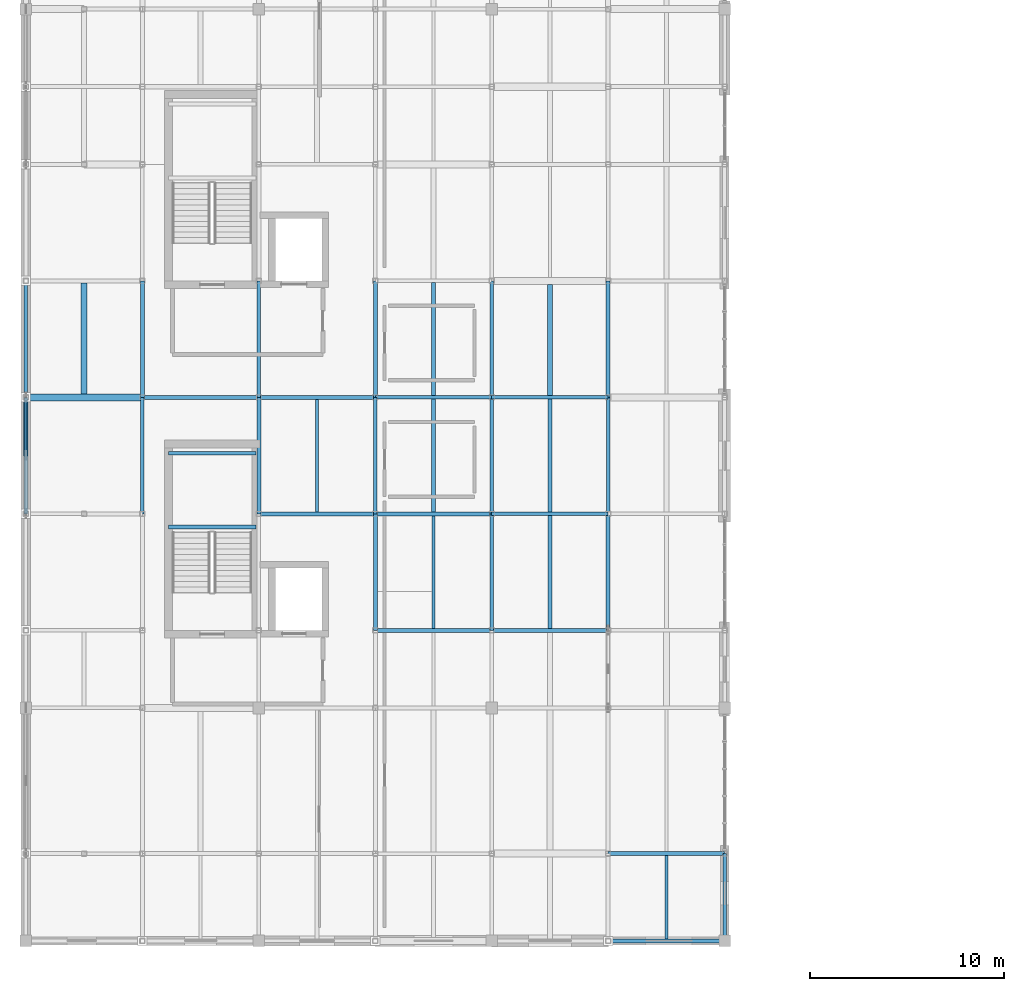
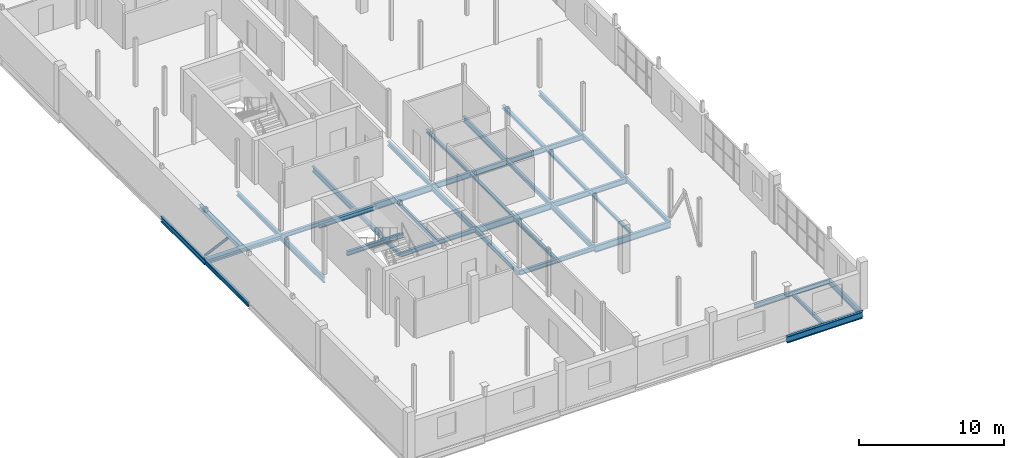
# One storey, part 12 of 35: 39 beams, 1 member.
"""IFC4 building model written with IfcOpenShell, lengths in metres."""

import ifcopenshell
import ifcopenshell.guid

model = None  # the IFC model being written
_history = None  # IfcOwnerHistory: only IFC2X3 demands one
_inside = {}  # id of a spatial element -> (the spatial element, [elements in it])
_under = {}  # id of a project, library or spatial element -> (it, [spatial elements below it])
_declared = {}  # id of a project -> (the project, [libraries it declares])
_typed = {}  # id of a type object -> (the type object, [elements of that type])
_made_of = {}  # id of a material, layer set ... -> (it, [elements and type objects made of it])


def new_model(schema):
    """Start an empty IFC model of exactly this schema.

    Asked for "IFC4X3", IfcOpenShell would pick the latest addendum, in which some entities
    have other attributes; the version numbers below select the first issue.
    IFC2X3 requires an IfcOwnerHistory on every rooted entity: one is made here for all.
    """
    global model, _history
    if schema == "IFC4X3":
        model = ifcopenshell.file(schema_version=(4, 3, 0, 0))
    else:
        model = ifcopenshell.file(schema=schema)
    _inside.clear()
    _under.clear()
    _declared.clear()
    _typed.clear()
    _made_of.clear()
    _history = None
    if model.schema == "IFC2X3":
        org = make("IfcOrganization", Name="unknown")
        user = make(
            "IfcPersonAndOrganization",
            ThePerson=make("IfcPerson", FamilyName="unknown"),
            TheOrganization=org,
        )
        app = make(
            "IfcApplication",
            ApplicationDeveloper=org,
            Version="unknown",
            ApplicationFullName="unknown",
            ApplicationIdentifier="unknown",
        )
        _history = make(
            "IfcOwnerHistory",
            OwningUser=user,
            OwningApplication=app,
            ChangeAction="ADDED",
            CreationDate=0,
        )
    return model


def make(cls, **values):
    """One entity of the class cls with the attributes given. An attribute that is None is left unset."""
    return model.create_entity(
        cls, **{name: value for name, value in values.items() if value is not None}
    )


def rooted(cls, **values):
    """An entity with a GlobalId (a new one), such as an element, a storey or a relation."""
    return make(cls, GlobalId=ifcopenshell.guid.new(), OwnerHistory=_history, **values)


def si_unit(unit_type, name, prefix=None):
    """IfcSIUnit, for example si_unit("LENGTHUNIT", "METRE", prefix="MILLI")."""
    return make("IfcSIUnit", UnitType=unit_type, Prefix=prefix, Name=name)


def assignment(units):
    """IfcUnitAssignment: the units of a project."""
    return None if units is None else make("IfcUnitAssignment", Units=units)


def point(xyz):
    """IfcCartesianPoint."""
    return None if xyz is None else make("IfcCartesianPoint", Coordinates=xyz)


def direction(xyz):
    """IfcDirection."""
    return None if xyz is None else make("IfcDirection", DirectionRatios=xyz)


def frame(location, z_axis=None, x_axis=None):
    """IfcAxis2Placement3D, a coordinate frame: its origin and axes. An axis left out is left unset."""
    return make(
        "IfcAxis2Placement3D",
        Location=point(location),
        Axis=direction(z_axis),
        RefDirection=direction(x_axis),
    )


def frame_2d(location, x_axis=None):
    """IfcAxis2Placement2D, a coordinate frame in the plane: its origin and x axis."""
    return make(
        "IfcAxis2Placement2D", Location=point(location), RefDirection=direction(x_axis)
    )


def origin():
    """The frame at (0, 0, 0) with its axes left unset."""
    return frame((0.0, 0.0, 0.0))


def origin_2d():
    """The frame at (0, 0) in the plane with its x axis left unset."""
    return frame_2d((0.0, 0.0))


def place(relative_to, where):
    """IfcLocalPlacement: puts the frame where relative to a parent placement (None: the world)."""
    return make(
        "IfcLocalPlacement", PlacementRelTo=relative_to, RelativePlacement=where
    )


def context(
    kind, dimensions, precision=None, world=None, true_north=None, identifier=None
):
    """IfcGeometricRepresentationContext, for example the 3D "Model" context."""
    return make(
        "IfcGeometricRepresentationContext",
        ContextIdentifier=identifier,
        ContextType=kind,
        CoordinateSpaceDimension=dimensions,
        Precision=precision,
        WorldCoordinateSystem=world,
        TrueNorth=true_north,
    )


def subcontext(parent, identifier, kind, view, scale=None):
    """IfcGeometricRepresentationSubContext, for example "Body" below "Model"."""
    return make(
        "IfcGeometricRepresentationSubContext",
        ContextIdentifier=identifier,
        ContextType=kind,
        ParentContext=parent,
        TargetScale=scale,
        TargetView=view,
    )


def project(units=None, contexts=None):
    """IfcProject with its units and contexts."""
    return rooted(
        "IfcProject",
        Name="project",
        RepresentationContexts=contexts,
        UnitsInContext=assignment(units),
    )


def spatial(cls, under=None, at=None, **own):
    """A site, building, storey or space (cls), placed at a placement, below another one or the project."""
    s = rooted(cls, ObjectPlacement=at, **own)
    if under is not None:
        _under.setdefault(under.id(), (under, []))[1].append(s)
    return s


def profile(cls, at=None, kind="AREA", **sizes):
    """A parametric profile (cls). Its sizes go by their IFC names, for example OverallWidth=200.0."""
    return make(cls, ProfileType=kind, Position=at, **sizes)


def hollow_circle(**sizes):
    """IfcCircleHollowProfileDef."""
    return profile("IfcCircleHollowProfileDef", **sizes)


def i_section(**sizes):
    """IfcIShapeProfileDef."""
    return profile("IfcIShapeProfileDef", **sizes)


def extrude(swept, where, along, depth):
    """IfcExtrudedAreaSolid: the profile swept, set in the frame where, extruded along a direction by depth."""
    return make(
        "IfcExtrudedAreaSolid",
        SweptArea=swept,
        Position=where,
        ExtrudedDirection=direction(along),
        Depth=depth,
    )


def shape(context_of_items, identifier, shape_type, items):
    """IfcShapeRepresentation: the items that make up one representation, for example the "Body"."""
    return make(
        "IfcShapeRepresentation",
        ContextOfItems=context_of_items,
        RepresentationIdentifier=identifier,
        RepresentationType=shape_type,
        Items=items,
    )


def material(Name=None, Category=None):
    """IfcMaterial."""
    return make("IfcMaterial", Name=Name, Category=Category)


def material_profile(
    of_material, cross_section, Name=None, Category=None, Priority=None
):
    """IfcMaterialProfile: a cross section and its material."""
    return make(
        "IfcMaterialProfile",
        Name=Name,
        Material=of_material,
        Profile=cross_section,
        Priority=Priority,
        Category=Category,
    )


def profile_set(profiles, Name=None, composite=None):
    """IfcMaterialProfileSet."""
    return make(
        "IfcMaterialProfileSet",
        Name=Name,
        MaterialProfiles=profiles,
        CompositeProfile=composite,
    )


def made_of(thing, what):
    """Note that an element or type object is made of a material, layer set ...; save() writes the relation."""
    if what is not None:
        _made_of.setdefault(what.id(), (what, []))[1].append(thing)
    return thing


def type_object(cls, material=None, **own):
    """A type object (cls), such as IfcWallType, which elements share."""
    return made_of(rooted(cls, **own), material)


def element(
    cls,
    number,
    at=None,
    inside=None,
    cuts=None,
    type_object=None,
    material=None,
    context=None,
    identifier="Body",
    shape_type=None,
    held_by="IfcProductDefinitionShape",
    body=None,
    shapes=None,
    **own,
):
    """One element of the class cls, such as IfcWall. Its Tag is "e" and its number.

    at: its placement. inside: the storey or other place that contains it. cuts: it is an
    opening in that element (IfcRelVoidsElement). A single representation is given by context,
    identifier, shape_type and body (its items); several are given by shapes. held_by: the class
    of the entity that holds the representations. save() writes the other relations.
    """
    e = rooted(cls, Tag="e%d" % number, ObjectPlacement=at, **own)
    if body is not None:
        shapes = [shape(context, identifier, shape_type, body)]
    if shapes is not None:
        e.Representation = make(held_by, Representations=shapes)
    if inside is not None:
        _inside.setdefault(inside.id(), (inside, []))[1].append(e)
    if cuts is not None:
        rooted(
            "IfcRelVoidsElement", RelatingBuildingElement=cuts, RelatedOpeningElement=e
        )
    if type_object is not None:
        _typed.setdefault(type_object.id(), (type_object, []))[1].append(e)
    return made_of(e, material)


def aggregate(whole, parts):
    """IfcRelAggregates: a whole, such as a stair, and the parts it consists of."""
    return rooted("IfcRelAggregates", RelatingObject=whole, RelatedObjects=parts)


def save(model, path):
    """Write the relations noted so far, then the file.

    IfcRelAggregates (storeys below a building ...), IfcRelContainedInSpatialStructure (elements
    in a storey), IfcRelDefinesByType, IfcRelAssociatesMaterial and IfcRelDeclares: one each for
    every whole, place, type object, material and project.
    """
    for whole, parts in _under.values():
        aggregate(whole, parts)
    for where, things in _inside.values():
        rooted(
            "IfcRelContainedInSpatialStructure",
            RelatedElements=things,
            RelatingStructure=where,
        )
    for kind, things in _typed.values():
        rooted("IfcRelDefinesByType", RelatedObjects=things, RelatingType=kind)
    for what, things in _made_of.values():
        rooted("IfcRelAssociatesMaterial", RelatedObjects=things, RelatingMaterial=what)
    for by, libraries in _declared.values():
        rooted("IfcRelDeclares", RelatingContext=by, RelatedDefinitions=libraries)
    model.write(path)


model = new_model("IFC4")

# Units and contexts
model_context = context("Model", 3, precision=1e-05, world=origin(), true_north=direction((0.0, 1.0)))
body_context = subcontext(model_context, "Body", "Model", "MODEL_VIEW")
ifc_project = project(units=[si_unit("LENGTHUNIT", "METRE"), si_unit("AREAUNIT", "SQUARE_METRE"), si_unit("VOLUMEUNIT", "CUBIC_METRE"), si_unit("PLANEANGLEUNIT", "RADIAN"), si_unit("MASSUNIT", "GRAM", prefix="KILO")], contexts=[model_context])

# Site, building, storey
site_placement = place(None, origin())
site = spatial("IfcSite", under=ifc_project, at=site_placement, CompositionType="ELEMENT")
building_placement = place(site_placement, origin())
building = spatial("IfcBuilding", under=site, at=building_placement, Name="Verrall Gate Interchange", CompositionType="ELEMENT")
storey_placement = place(building_placement, frame((0.0, 0.0, 15.39990234375)))
storey = spatial("IfcBuildingStorey", under=building, at=storey_placement, Name="L04", CompositionType="ELEMENT", Elevation=15.39990234375)

# Beams
ifc_material_1 = material(Name="Structural Steel CSA G40.21 350W", Category="steel")
ifc_material_profile_1 = material_profile(ifc_material_1, i_section(OverallWidth=0.2109375, OverallDepth=0.5390625, WebThickness=0.01171875, FlangeThickness=0.018798828125, FilletRadius=0.013916015625, at=origin_2d()), Name="W530x109")
ifc_profile_set_1 = profile_set([ifc_material_profile_1], Name="Structural Steel CSA G40.21 350W")
beam_type_1 = type_object("IfcBeamType", Name="B-10 Structural Beam W530x109", PredefinedType="BEAM", material=ifc_profile_set_1)
for number, where, z_axis, x_axis, name in (
    (1, (30.0, 0.0, -0.599365234375), (1.0, 0.0, 0.0), (0.0, 1.0, 0.0), "L04 Girder BM-L04-2520 (B-10)"),
    (2, (24.0, 16.0, -0.599365234375), (1.0, 0.0, 0.0), (0.0, 1.0, 0.0), "L04 Girder BM-L04-2542 (B-10)"),
    (3, (18.0, 22.0, -0.599365234375), (1.0, 0.0, 0.0), (0.0, 1.0, 0.0), "L04 Girder BM-L04-2553 (B-10)"),
    (4, (12.0, 28.0, -0.599365234375), (1.0, 0.0, 0.0), (0.0, 1.0, 0.0), "L04 Girder BM-L04-2563 (B-10)"),
):
    element("IfcBeam", number, at=place(storey_placement, frame(where, z_axis=z_axis, x_axis=x_axis)), inside=storey, type_object=beam_type_1, Name=name, PredefinedType="BEAM", context=body_context, shape_type="SweptSolid", body=[
        extrude(i_section(OverallWidth=0.2109375, OverallDepth=0.5390625, WebThickness=0.01171875, FlangeThickness=0.018798828125, FilletRadius=0.013916015625, at=origin_2d()), origin(), (0.0, 0.0, 1.0), 6.0),
    ])
ifc_material_2 = material(Name="Structural Steel CSA G40.21 350W", Category="steel")
ifc_material_profile_2 = material_profile(ifc_material_2, i_section(OverallWidth=0.19189453125, OverallDepth=0.462890625, WebThickness=0.010498046875, FlangeThickness=0.017578125, FilletRadius=0.012939453125, at=origin_2d()), Name="W460x89")
ifc_profile_set_2 = profile_set([ifc_material_profile_2], Name="Structural Steel CSA G40.21 350W")
beam_type_2 = type_object("IfcBeamType", Name="B-11 Structural Beam W460x89", PredefinedType="BEAM", material=ifc_profile_set_2)
for number, where, z_axis, x_axis, name in (
    (5, (24.0, 22.0, -0.5615234375), (1.0, 0.0, 0.0), (0.0, 1.0, 0.0), "L04 Girder BM-L04-2554 (B-11)"),
    (6, (18.0, 28.0, -0.5615234375), (1.0, 0.0, 0.0), (0.0, 1.0, 0.0), "L04 Girder BM-L04-2564 (B-11)"),
    (7, (0.0, 28.0, -0.5615234375), (0.0, 1.0, 0.0), (-1.0, 0.0, 0.0), "L04 Girder BM-L04-2636 (B-11)"),
    (8, (6.0, 22.0, -0.5615234375), (0.0, 1.0, 0.0), (-1.0, 0.0, 0.0), "L04 Girder BM-L04-2649 (B-11)"),
    (9, (12.0, 28.0, -0.5615234375), (0.0, 1.0, 0.0), (-1.0, 0.0, 0.0), "L04 Girder BM-L04-2663 (B-11)"),
    (10, (18.0, 22.0, -0.5615234375), (0.0, 1.0, 0.0), (-1.0, 0.0, 0.0), "L04 Girder BM-L04-2675 (B-11)"),
    (11, (24.0, 16.0, -0.5615234375), (0.0, 1.0, 0.0), (-1.0, 0.0, 0.0), "L04 Girder BM-L04-2687 (B-11)"),
    (12, (24.0, 28.0, -0.5615234375), (0.0, 1.0, 0.0), (-1.0, 0.0, 0.0), "L04 Girder BM-L04-2689 (B-11)"),
    (13, (30.0, 22.0, -0.5615234375), (0.0, 1.0, 0.0), (-1.0, 0.0, 0.0), "L04 Girder BM-L04-2701 (B-11)"),
):
    element("IfcBeam", number, at=place(storey_placement, frame(where, z_axis=z_axis, x_axis=x_axis)), inside=storey, type_object=beam_type_2, Name=name, PredefinedType="BEAM", context=body_context, shape_type="SweptSolid", body=[
        extrude(i_section(OverallWidth=0.19189453125, OverallDepth=0.462890625, WebThickness=0.010498046875, FlangeThickness=0.017578125, FilletRadius=0.012939453125, at=origin_2d()), origin(), (0.0, 0.0, 1.0), 6.0),
    ])
beam_1_placement = place(storey_placement, frame((36.0, 0.0, -0.5615234375), z_axis=(0.0, 1.0, 0.0), x_axis=(-1.0, 0.0, 0.0)))
element("IfcBeam", 14, at=beam_1_placement, inside=storey, type_object=beam_type_2, Name="L04 Girder BM-L04-2710 (B-11)", PredefinedType="BEAM", context=body_context, shape_type="SweptSolid", body=[
    extrude(i_section(OverallWidth=0.19189453125, OverallDepth=0.462890625, WebThickness=0.010498046875, FlangeThickness=0.017578125, FilletRadius=0.012939453125, at=origin_2d()), origin(), (0.0, 0.0, 1.0), 4.5),
])
ifc_material_3 = material(Name="Structural Steel CSA G40.21 350W", Category="steel")
ifc_material_profile_3 = material_profile(ifc_material_3, i_section(OverallWidth=0.178955078125, OverallDepth=0.409912109375, WebThickness=0.0087890625, FlangeThickness=0.014404296875, FilletRadius=0.011962890625, at=origin_2d()), Name="W410x67")
ifc_profile_set_3 = profile_set([ifc_material_profile_3], Name="Structural Steel CSA G40.21 350W")
beam_type_3 = type_object("IfcBeamType", Name="B-12 Structural Beam W410x67", PredefinedType="BEAM", material=ifc_profile_set_3)
beam_2_placement = place(storey_placement, frame((24.0, 28.0, -0.534912109375), z_axis=(1.0, 0.0, 0.0), x_axis=(0.0, 1.0, 0.0)))
element("IfcBeam", 15, at=beam_2_placement, inside=storey, type_object=beam_type_3, Name="L04 Girder BM-L04-2565 (B-12)", PredefinedType="BEAM", context=body_context, shape_type="SweptSolid", body=[
    extrude(i_section(OverallWidth=0.178955078125, OverallDepth=0.409912109375, WebThickness=0.0087890625, FlangeThickness=0.014404296875, FilletRadius=0.011962890625, at=origin_2d()), origin(), (0.0, 0.0, 1.0), 6.0),
])
ifc_material_4 = material(Name="Structural Steel CSA G40.21 350W", Category="steel")
ifc_material_profile_4 = material_profile(ifc_material_4, i_section(OverallWidth=0.368896484375, OverallDepth=0.35595703125, WebThickness=0.01123046875, FlangeThickness=0.01806640625, FilletRadius=0.014892578125, at=origin_2d()), Name="W360x134")
ifc_profile_set_4 = profile_set([ifc_material_profile_4], Name="Structural Steel CSA G40.21 350W")
beam_type_4 = type_object("IfcBeamType", Name="B-13 Structural Beam W360x134", PredefinedType="BEAM", material=ifc_profile_set_4)
beam_3_placement = place(storey_placement, frame((0.0, 28.0, -0.5078125), z_axis=(1.0, 0.0, 0.0), x_axis=(0.0, 1.0, 0.0)))
element("IfcBeam", 16, at=beam_3_placement, inside=storey, type_object=beam_type_4, Name="L04 Girder BM-L04-2561 (B-13)", PredefinedType="BEAM", context=body_context, shape_type="SweptSolid", body=[
    extrude(i_section(OverallWidth=0.368896484375, OverallDepth=0.35595703125, WebThickness=0.01123046875, FlangeThickness=0.01806640625, FilletRadius=0.014892578125, at=origin_2d()), origin(), (0.0, 0.0, 1.0), 6.0),
])
ifc_material_5 = material(Name="Structural Steel CSA G40.21 350W", Category="steel")
ifc_material_profile_5 = material_profile(ifc_material_5, i_section(OverallWidth=0.205078125, OverallDepth=0.35400390625, WebThickness=0.009521484375, FlangeThickness=0.016845703125, FilletRadius=0.012939453125, at=origin_2d()), Name="W360x79")
ifc_profile_set_5 = profile_set([ifc_material_profile_5], Name="Structural Steel CSA G40.21 350W")
beam_type_5 = type_object("IfcBeamType", Name="B-14 Structural Beam W360x79", PredefinedType="BEAM", material=ifc_profile_set_5)
for number, where, z_axis, x_axis, name in (
    (17, (30.0, 4.5, -0.5068359375), (1.0, 0.0, 0.0), (0.0, 1.0, 0.0), "L04 Girder BM-L04-2527 (B-14)"),
    (18, (18.0, 16.0, -0.5068359375), (1.0, 0.0, 0.0), (0.0, 1.0, 0.0), "L04 Girder BM-L04-2541 (B-14)"),
    (19, (12.0, 22.0, -0.5068359375), (1.0, 0.0, 0.0), (0.0, 1.0, 0.0), "L04 Girder BM-L04-2552 (B-14)"),
    (20, (6.0, 28.0, -0.5068359375), (1.0, 0.0, 0.0), (0.0, 1.0, 0.0), "L04 Girder BM-L04-2562 (B-14)"),
    (21, (0.0, 22.0, -0.5068359375), (0.0, 1.0, 0.0), (-1.0, 0.0, 0.0), "L04 Girder BM-L04-2635 (B-14)"),
    (22, (6.0, 28.0, -0.5068359375), (0.0, 1.0, 0.0), (-1.0, 0.0, 0.0), "L04 Girder BM-L04-2650 (B-14)"),
    (23, (12.0, 22.0, -0.5068359375), (0.0, 1.0, 0.0), (-1.0, 0.0, 0.0), "L04 Girder BM-L04-2662 (B-14)"),
    (24, (18.0, 16.0, -0.5068359375), (0.0, 1.0, 0.0), (-1.0, 0.0, 0.0), "L04 Girder BM-L04-2674 (B-14)"),
    (25, (18.0, 28.0, -0.5068359375), (0.0, 1.0, 0.0), (-1.0, 0.0, 0.0), "L04 Girder BM-L04-2676 (B-14)"),
    (26, (24.0, 22.0, -0.5068359375), (0.0, 1.0, 0.0), (-1.0, 0.0, 0.0), "L04 Girder BM-L04-2688 (B-14)"),
    (27, (30.0, 16.0, -0.5068359375), (0.0, 1.0, 0.0), (-1.0, 0.0, 0.0), "L04 Girder BM-L04-2700 (B-14)"),
    (28, (30.0, 28.0, -0.5068359375), (0.0, 1.0, 0.0), (-1.0, 0.0, 0.0), "L04 Girder BM-L04-2702 (B-14)"),
):
    element("IfcBeam", number, at=place(storey_placement, frame(where, z_axis=z_axis, x_axis=x_axis)), inside=storey, type_object=beam_type_5, Name=name, PredefinedType="BEAM", context=body_context, shape_type="SweptSolid", body=[
        extrude(i_section(OverallWidth=0.205078125, OverallDepth=0.35400390625, WebThickness=0.009521484375, FlangeThickness=0.016845703125, FilletRadius=0.012939453125, at=origin_2d()), origin(), (0.0, 0.0, 1.0), 6.0),
    ])
for number, where, z_axis, x_axis, name in (
    (29, (7.35009765625, 21.31005859375, 1.630126953125), (1.0, 0.0, 0.0), (0.0, 1.0, 0.0), "L04 Core C1 Mid-Landing Beam 1"),
    (30, (7.35009765625, 25.1201171875, 1.630126953125), (1.0, 0.0, 0.0), (0.0, 1.0, 0.0), "L04 Core C1 Mid-Landing Beam 2"),
):
    element("IfcBeam", number, at=place(storey_placement, frame(where, z_axis=z_axis, x_axis=x_axis)), inside=storey, type_object=beam_type_5, Name=name, PredefinedType="BEAM", context=body_context, shape_type="SweptSolid", body=[
        extrude(i_section(OverallWidth=0.205078125, OverallDepth=0.35400390625, WebThickness=0.009521484375, FlangeThickness=0.016845703125, FilletRadius=0.012939453125, at=origin_2d()), origin(), (0.0, 0.0, 1.0), 4.5),
    ])

# Member
ifc_material_6 = material(Name="Structural Steel CSA G40.21 350W", Category="steel")
ifc_material_profile_6 = material_profile(ifc_material_6, hollow_circle(Radius=0.109619140625, WallThickness=0.008056640625, at=origin_2d()), Name="HSS219x8.0")
ifc_profile_set_6 = profile_set([ifc_material_profile_6], Name="Structural Steel CSA G40.21 350W")
member_type = type_object("IfcMemberType", Name="BR-02 Diagonal Brace HSS219x8.0", PredefinedType="BRACE", material=ifc_profile_set_6)
member_placement = place(storey_placement, frame((0.0, 28.0, 0.0), z_axis=(0.0, -0.681645967553, 0.731682154299), x_axis=(1.0, 0.0, 0.0)))
element("IfcMember", 31, at=member_placement, inside=storey, type_object=member_type, Name="Chevron Brace CBF2 L04 Leg B", PredefinedType="BRACE", context=body_context, shape_type="SweptSolid", body=[
    extrude(hollow_circle(Radius=0.109619140625, WallThickness=0.008056640625, at=origin_2d()), origin(), (0.0, 0.0, 1.0), 4.401123046875),
])

# Beams
ifc_material_7 = material(Name="Structural Steel CSA G40.21 350W", Category="steel")
ifc_material_profile_7 = material_profile(ifc_material_7, i_section(OverallWidth=0.172119140625, OverallDepth=0.35791015625, WebThickness=0.0078125, FlangeThickness=0.01318359375, FilletRadius=0.010986328125, at=origin_2d()), Name="W360x57")
ifc_profile_set_7 = profile_set([ifc_material_profile_7], Name="Structural Steel CSA G40.21 350W")
beam_type_6 = type_object("IfcBeamType", Name="J-01 Floor Joist W360x57", PredefinedType="JOIST", material=ifc_profile_set_7)
for number, where, z_axis, x_axis, name in (
    (32, (21.0, 16.1025390625, -0.5087890625), (0.0, 1.0, 0.0), (-1.0, 0.0, 0.0), "L04 Secondary Floor Joist JST-L04-2785"),
    (33, (15.0, 22.1025390625, -0.5087890625), (0.0, 1.0, 0.0), (-1.0, 0.0, 0.0), "L04 Secondary Floor Joist JST-L04-2792"),
):
    element("IfcBeam", number, at=place(storey_placement, frame(where, z_axis=z_axis, x_axis=x_axis)), inside=storey, type_object=beam_type_6, Name=name, PredefinedType="JOIST", context=body_context, shape_type="SweptSolid", body=[
        extrude(i_section(OverallWidth=0.172119140625, OverallDepth=0.35791015625, WebThickness=0.0078125, FlangeThickness=0.01318359375, FilletRadius=0.010986328125, at=origin_2d()), origin(), (0.0, 0.0, 1.0), 5.7919921875),
    ])
ifc_material_8 = material(Name="Structural Steel CSA G40.21 350W", Category="steel")
ifc_material_profile_8 = material_profile(ifc_material_8, i_section(OverallWidth=0.306884765625, OverallDepth=0.31396484375, WebThickness=0.011962890625, FlangeThickness=0.018798828125, FilletRadius=0.013916015625, at=origin_2d()), Name="W310x118")
ifc_profile_set_8 = profile_set([ifc_material_profile_8], Name="Structural Steel CSA G40.21 350W")
beam_type_7 = type_object("IfcBeamType", Name="J-02 Floor Joist W310x118", PredefinedType="JOIST", material=ifc_profile_set_8)
beam_4_placement = place(storey_placement, frame((3.0, 28.1845703125, -0.48681640625), z_axis=(0.0, 1.0, 0.0), x_axis=(-1.0, 0.0, 0.0)))
element("IfcBeam", 34, at=beam_4_placement, inside=storey, type_object=beam_type_7, Name="L04 Secondary Floor Joist JST-L04-2801", PredefinedType="JOIST", context=body_context, shape_type="SweptSolid", body=[
    extrude(i_section(OverallWidth=0.306884765625, OverallDepth=0.31396484375, WebThickness=0.011962890625, FlangeThickness=0.018798828125, FilletRadius=0.013916015625, at=origin_2d()), origin(), (0.0, 0.0, 1.0), 5.712890625),
])
ifc_material_9 = material(Name="Structural Steel CSA G40.21 350W", Category="steel")
ifc_material_profile_9 = material_profile(ifc_material_9, i_section(OverallWidth=0.1650390625, OverallDepth=0.31005859375, WebThickness=0.005859375, FlangeThickness=0.009765625, FilletRadius=0.010009765625, at=origin_2d()), Name="W310x39")
ifc_profile_set_9 = profile_set([ifc_material_profile_9], Name="Structural Steel CSA G40.21 350W")
beam_type_8 = type_object("IfcBeamType", Name="J-04 Floor Joist W310x39", PredefinedType="JOIST", material=ifc_profile_set_9)
beam_5_placement = place(storey_placement, frame((33.0, 0.10546875, -0.48486328125), z_axis=(0.0, 1.0, 0.0), x_axis=(-1.0, 0.0, 0.0)))
element("IfcBeam", 35, at=beam_5_placement, inside=storey, type_object=beam_type_8, Name="L04 Secondary Floor Joist JST-L04-2769", PredefinedType="JOIST", context=body_context, shape_type="SweptSolid", body=[
    extrude(i_section(OverallWidth=0.1650390625, OverallDepth=0.31005859375, WebThickness=0.005859375, FlangeThickness=0.009765625, FilletRadius=0.010009765625, at=origin_2d()), origin(), (0.0, 0.0, 1.0), 4.2919921875),
])
ifc_material_10 = material(Name="Structural Steel CSA G40.21 350W", Category="steel")
ifc_material_profile_10 = material_profile(ifc_material_10, i_section(OverallWidth=0.25390625, OverallDepth=0.2529296875, WebThickness=0.008544921875, FlangeThickness=0.01416015625, FilletRadius=0.011962890625, at=origin_2d()), Name="W250x73")
ifc_profile_set_10 = profile_set([ifc_material_profile_10], Name="Structural Steel CSA G40.21 350W")
beam_type_9 = type_object("IfcBeamType", Name="J-05 Floor Joist W250x73", PredefinedType="JOIST", material=ifc_profile_set_10)
beam_6_placement = place(storey_placement, frame((27.0, 28.089599609375, -0.456298828125), z_axis=(0.0, 1.0, 0.0), x_axis=(-1.0, 0.0, 0.0)))
element("IfcBeam", 36, at=beam_6_placement, inside=storey, type_object=beam_type_9, Name="L04 Secondary Floor Joist JST-L04-2803", PredefinedType="JOIST", context=body_context, shape_type="SweptSolid", body=[
    extrude(i_section(OverallWidth=0.25390625, OverallDepth=0.2529296875, WebThickness=0.008544921875, FlangeThickness=0.01416015625, FilletRadius=0.011962890625, at=origin_2d()), origin(), (0.0, 0.0, 1.0), 5.725830078125),
])
ifc_material_11 = material(Name="Structural Steel CSA G40.21 350W", Category="steel")
ifc_material_profile_11 = material_profile(ifc_material_11, i_section(OverallWidth=0.201904296875, OverallDepth=0.2470703125, WebThickness=0.00732421875, FlangeThickness=0.010986328125, FilletRadius=0.010986328125, at=origin_2d()), Name="W250x49")
ifc_profile_set_11 = profile_set([ifc_material_profile_11], Name="Structural Steel CSA G40.21 350W")
beam_type_10 = type_object("IfcBeamType", Name="J-06 Floor Joist W250x49", PredefinedType="JOIST", material=ifc_profile_set_11)
for number, where, z_axis, x_axis, name in (
    (37, (27.0, 22.095947265625, -0.453369140625), (0.0, 1.0, 0.0), (-1.0, 0.0, 0.0), "L04 Secondary Floor Joist JST-L04-2794"),
    (38, (21.0, 28.095947265625, -0.453369140625), (0.0, 1.0, 0.0), (-1.0, 0.0, 0.0), "L04 Secondary Floor Joist JST-L04-2802"),
):
    element("IfcBeam", number, at=place(storey_placement, frame(where, z_axis=z_axis, x_axis=x_axis)), inside=storey, type_object=beam_type_10, Name=name, PredefinedType="JOIST", context=body_context, shape_type="SweptSolid", body=[
        extrude(i_section(OverallWidth=0.201904296875, OverallDepth=0.2470703125, WebThickness=0.00732421875, FlangeThickness=0.010986328125, FilletRadius=0.010986328125, at=origin_2d()), origin(), (0.0, 0.0, 1.0), 5.814453125),
    ])
ifc_material_12 = material(Name="Structural Steel CSA G40.21 350W", Category="steel")
ifc_material_profile_12 = material_profile(ifc_material_12, i_section(OverallWidth=0.202880859375, OverallDepth=0.202880859375, WebThickness=0.007080078125, FlangeThickness=0.010986328125, FilletRadius=0.010009765625, at=origin_2d()), Name="W200x46")
ifc_profile_set_12 = profile_set([ifc_material_profile_12], Name="Structural Steel CSA G40.21 350W")
beam_type_11 = type_object("IfcBeamType", Name="J-07 Floor Joist W200x46", PredefinedType="JOIST", material=ifc_profile_set_12)
for number, where, z_axis, x_axis, name in (
    (39, (27.0, 16.10546875, -0.431396484375), (0.0, 1.0, 0.0), (-1.0, 0.0, 0.0), "L04 Secondary Floor Joist JST-L04-2786"),
    (40, (21.0, 22.10546875, -0.431396484375), (0.0, 1.0, 0.0), (-1.0, 0.0, 0.0), "L04 Secondary Floor Joist JST-L04-2793"),
):
    element("IfcBeam", number, at=place(storey_placement, frame(where, z_axis=z_axis, x_axis=x_axis)), inside=storey, type_object=beam_type_11, Name=name, PredefinedType="JOIST", context=body_context, shape_type="SweptSolid", body=[
        extrude(i_section(OverallWidth=0.202880859375, OverallDepth=0.202880859375, WebThickness=0.007080078125, FlangeThickness=0.010986328125, FilletRadius=0.010009765625, at=origin_2d()), origin(), (0.0, 0.0, 1.0), 5.798583984375),
    ])

save(model, "model.ifc")
